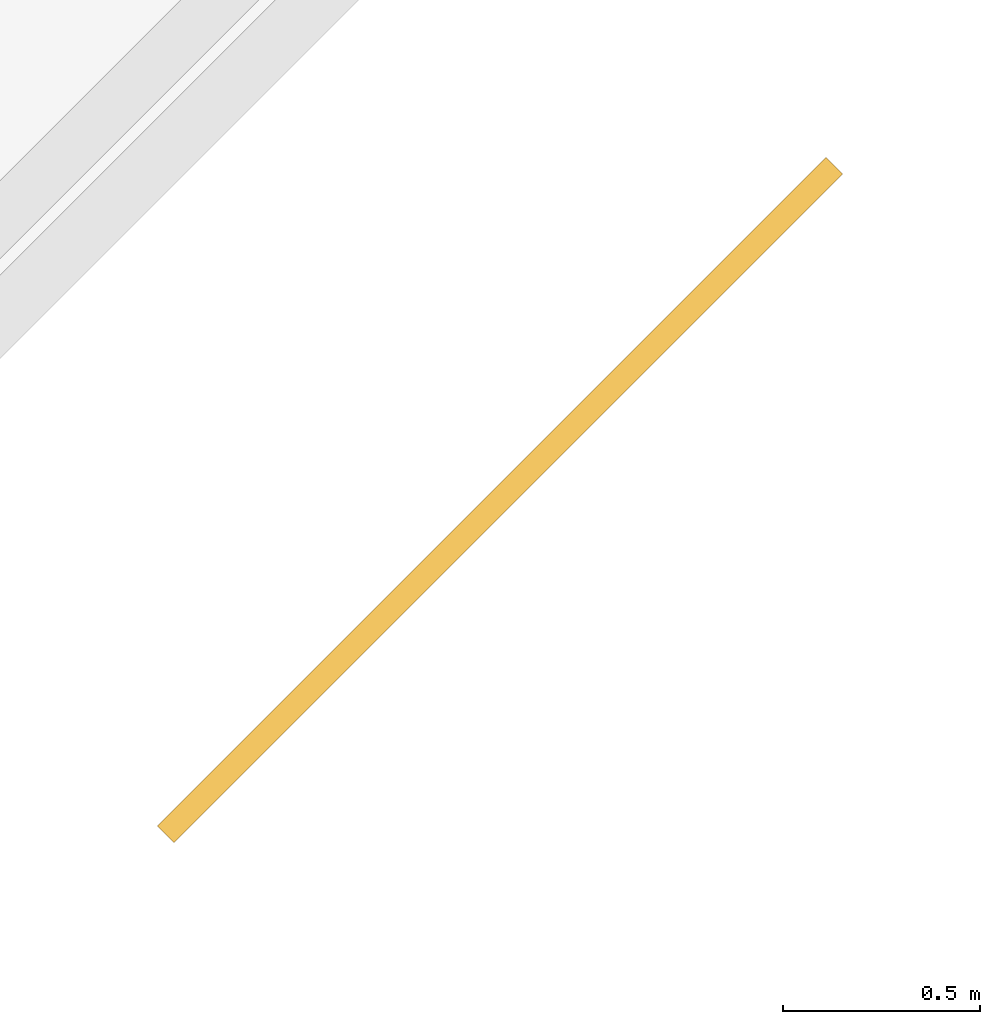
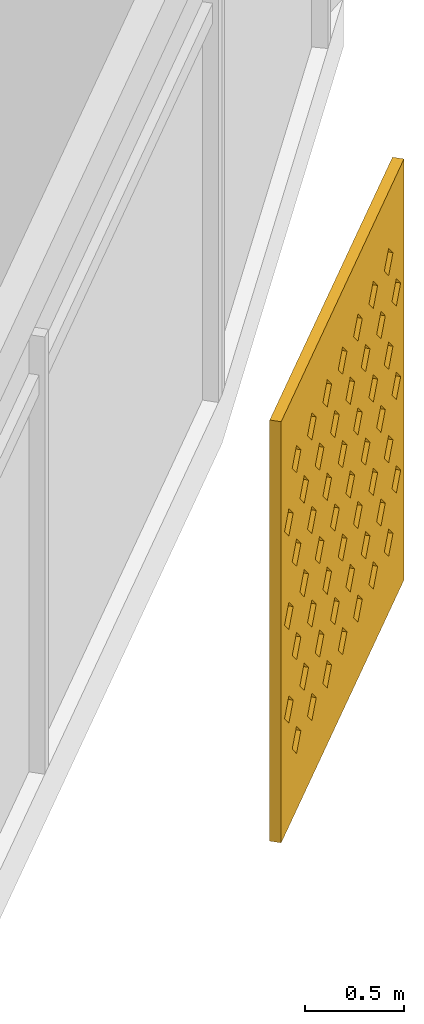
# One storey, part 28 of 28: 1 shading device.
"""IFC4 building model written with IfcOpenShell, lengths in metres."""

from ifc_helpers import new_model, si_unit, direction, frame, origin, place, context, subcontext, project, spatial, polyline, outline, extrude, material, material_profile, profile_set, type_object, element, save


model = new_model("IFC4")

# Units and contexts
model_context = context("Model", 3, precision=1e-05, world=origin(), true_north=direction((0.0, 1.0)))
body_context = subcontext(model_context, "Body", "Model", "MODEL_VIEW")
ifc_project = project(units=[si_unit("LENGTHUNIT", "METRE"), si_unit("AREAUNIT", "SQUARE_METRE"), si_unit("VOLUMEUNIT", "CUBIC_METRE"), si_unit("PLANEANGLEUNIT", "RADIAN"), si_unit("MASSUNIT", "GRAM", prefix="KILO")], contexts=[model_context])

# Site, building, storey
site_placement = place(None, origin())
site = spatial("IfcSite", under=ifc_project, at=site_placement, CompositionType="ELEMENT")
building_placement = place(site_placement, origin())
building = spatial("IfcBuilding", under=site, at=building_placement, Name="Qamariyya Broadcast Tower", CompositionType="ELEMENT")
storey_placement = place(building_placement, frame((0.0, 0.0, 245.5)))
storey = spatial("IfcBuildingStorey", under=building, at=storey_placement, Name="L59", CompositionType="ELEMENT", Elevation=245.5)

# Shading device
ifc_material = material(Name="Perforated glazed terracotta", Category="masonry")
ifc_material_profile = material_profile(ifc_material, outline(polyline([(-1.199951171875, -1.300048828125), (1.199951171875, -1.300048828125), (1.199951171875, 1.300048828125), (-1.199951171875, 1.300048828125), (-1.199951171875, -1.300048828125)]), holes=[polyline([(-0.81494140625, -0.86669921875), (-0.89990234375, -0.78173828125), (-0.985107421875, -0.86669921875), (-0.89990234375, -0.95166015625), (-0.81494140625, -0.86669921875)]), polyline([(-0.514892578125, -0.86669921875), (-0.60009765625, -0.78173828125), (-0.68505859375, -0.86669921875), (-0.60009765625, -0.95166015625), (-0.514892578125, -0.86669921875)]), polyline([(-0.215087890625, -0.86669921875), (-0.300048828125, -0.78173828125), (-0.385009765625, -0.86669921875), (-0.300048828125, -0.95166015625), (-0.215087890625, -0.86669921875)]), polyline([(0.0849609375, -0.86669921875), (0.0, -0.78173828125), (-0.0849609375, -0.86669921875), (0.0, -0.95166015625), (0.0849609375, -0.86669921875)]), polyline([(0.385009765625, -0.86669921875), (0.300048828125, -0.78173828125), (0.215087890625, -0.86669921875), (0.300048828125, -0.95166015625), (0.385009765625, -0.86669921875)]), polyline([(0.68505859375, -0.86669921875), (0.60009765625, -0.78173828125), (0.514892578125, -0.86669921875), (0.60009765625, -0.95166015625), (0.68505859375, -0.86669921875)]), polyline([(0.985107421875, -0.86669921875), (0.89990234375, -0.78173828125), (0.81494140625, -0.86669921875), (0.89990234375, -0.95166015625), (0.985107421875, -0.86669921875)]), polyline([(-0.965087890625, -0.577880859375), (-1.050048828125, -0.49267578125), (-1.135009765625, -0.577880859375), (-1.050048828125, -0.662841796875), (-0.965087890625, -0.577880859375)]), polyline([(-0.6650390625, -0.577880859375), (-0.75, -0.49267578125), (-0.8349609375, -0.577880859375), (-0.75, -0.662841796875), (-0.6650390625, -0.577880859375)]), polyline([(-0.364990234375, -0.577880859375), (-0.449951171875, -0.49267578125), (-0.534912109375, -0.577880859375), (-0.449951171875, -0.662841796875), (-0.364990234375, -0.577880859375)]), polyline([(-0.06494140625, -0.577880859375), (-0.14990234375, -0.49267578125), (-0.235107421875, -0.577880859375), (-0.14990234375, -0.662841796875), (-0.06494140625, -0.577880859375)]), polyline([(0.235107421875, -0.577880859375), (0.14990234375, -0.49267578125), (0.06494140625, -0.577880859375), (0.14990234375, -0.662841796875), (0.235107421875, -0.577880859375)]), polyline([(0.534912109375, -0.577880859375), (0.449951171875, -0.49267578125), (0.364990234375, -0.577880859375), (0.449951171875, -0.662841796875), (0.534912109375, -0.577880859375)]), polyline([(0.8349609375, -0.577880859375), (0.75, -0.49267578125), (0.6650390625, -0.577880859375), (0.75, -0.662841796875), (0.8349609375, -0.577880859375)]), polyline([(1.135009765625, -0.577880859375), (1.050048828125, -0.49267578125), (0.965087890625, -0.577880859375), (1.050048828125, -0.662841796875), (1.135009765625, -0.577880859375)]), polyline([(-0.81494140625, -0.288818359375), (-0.89990234375, -0.203857421875), (-0.985107421875, -0.288818359375), (-0.89990234375, -0.373779296875), (-0.81494140625, -0.288818359375)]), polyline([(-0.514892578125, -0.288818359375), (-0.60009765625, -0.203857421875), (-0.68505859375, -0.288818359375), (-0.60009765625, -0.373779296875), (-0.514892578125, -0.288818359375)]), polyline([(-0.215087890625, -0.288818359375), (-0.300048828125, -0.203857421875), (-0.385009765625, -0.288818359375), (-0.300048828125, -0.373779296875), (-0.215087890625, -0.288818359375)]), polyline([(0.0849609375, -0.288818359375), (0.0, -0.203857421875), (-0.0849609375, -0.288818359375), (0.0, -0.373779296875), (0.0849609375, -0.288818359375)]), polyline([(0.385009765625, -0.288818359375), (0.300048828125, -0.203857421875), (0.215087890625, -0.288818359375), (0.300048828125, -0.373779296875), (0.385009765625, -0.288818359375)]), polyline([(0.68505859375, -0.288818359375), (0.60009765625, -0.203857421875), (0.514892578125, -0.288818359375), (0.60009765625, -0.373779296875), (0.68505859375, -0.288818359375)]), polyline([(0.985107421875, -0.288818359375), (0.89990234375, -0.203857421875), (0.81494140625, -0.288818359375), (0.89990234375, -0.373779296875), (0.985107421875, -0.288818359375)]), polyline([(-0.965087890625, 0.0), (-1.050048828125, 0.0849609375), (-1.135009765625, 0.0), (-1.050048828125, -0.0849609375), (-0.965087890625, 0.0)]), polyline([(-0.6650390625, 0.0), (-0.75, 0.0849609375), (-0.8349609375, 0.0), (-0.75, -0.0849609375), (-0.6650390625, 0.0)]), polyline([(-0.364990234375, 0.0), (-0.449951171875, 0.0849609375), (-0.534912109375, 0.0), (-0.449951171875, -0.0849609375), (-0.364990234375, 0.0)]), polyline([(-0.06494140625, 0.0), (-0.14990234375, 0.0849609375), (-0.235107421875, 0.0), (-0.14990234375, -0.0849609375), (-0.06494140625, 0.0)]), polyline([(0.235107421875, 0.0), (0.14990234375, 0.0849609375), (0.06494140625, 0.0), (0.14990234375, -0.0849609375), (0.235107421875, 0.0)]), polyline([(0.534912109375, 0.0), (0.449951171875, 0.0849609375), (0.364990234375, 0.0), (0.449951171875, -0.0849609375), (0.534912109375, 0.0)]), polyline([(0.8349609375, 0.0), (0.75, 0.0849609375), (0.6650390625, 0.0), (0.75, -0.0849609375), (0.8349609375, 0.0)]), polyline([(1.135009765625, 0.0), (1.050048828125, 0.0849609375), (0.965087890625, 0.0), (1.050048828125, -0.0849609375), (1.135009765625, 0.0)]), polyline([(-0.81494140625, 0.288818359375), (-0.89990234375, 0.373779296875), (-0.985107421875, 0.288818359375), (-0.89990234375, 0.203857421875), (-0.81494140625, 0.288818359375)]), polyline([(-0.514892578125, 0.288818359375), (-0.60009765625, 0.373779296875), (-0.68505859375, 0.288818359375), (-0.60009765625, 0.203857421875), (-0.514892578125, 0.288818359375)]), polyline([(-0.215087890625, 0.288818359375), (-0.300048828125, 0.373779296875), (-0.385009765625, 0.288818359375), (-0.300048828125, 0.203857421875), (-0.215087890625, 0.288818359375)]), polyline([(0.0849609375, 0.288818359375), (0.0, 0.373779296875), (-0.0849609375, 0.288818359375), (0.0, 0.203857421875), (0.0849609375, 0.288818359375)]), polyline([(0.385009765625, 0.288818359375), (0.300048828125, 0.373779296875), (0.215087890625, 0.288818359375), (0.300048828125, 0.203857421875), (0.385009765625, 0.288818359375)]), polyline([(0.68505859375, 0.288818359375), (0.60009765625, 0.373779296875), (0.514892578125, 0.288818359375), (0.60009765625, 0.203857421875), (0.68505859375, 0.288818359375)]), polyline([(0.985107421875, 0.288818359375), (0.89990234375, 0.373779296875), (0.81494140625, 0.288818359375), (0.89990234375, 0.203857421875), (0.985107421875, 0.288818359375)]), polyline([(-0.965087890625, 0.577880859375), (-1.050048828125, 0.662841796875), (-1.135009765625, 0.577880859375), (-1.050048828125, 0.49267578125), (-0.965087890625, 0.577880859375)]), polyline([(-0.6650390625, 0.577880859375), (-0.75, 0.662841796875), (-0.8349609375, 0.577880859375), (-0.75, 0.49267578125), (-0.6650390625, 0.577880859375)]), polyline([(-0.364990234375, 0.577880859375), (-0.449951171875, 0.662841796875), (-0.534912109375, 0.577880859375), (-0.449951171875, 0.49267578125), (-0.364990234375, 0.577880859375)]), polyline([(-0.06494140625, 0.577880859375), (-0.14990234375, 0.662841796875), (-0.235107421875, 0.577880859375), (-0.14990234375, 0.49267578125), (-0.06494140625, 0.577880859375)]), polyline([(0.235107421875, 0.577880859375), (0.14990234375, 0.662841796875), (0.06494140625, 0.577880859375), (0.14990234375, 0.49267578125), (0.235107421875, 0.577880859375)]), polyline([(0.534912109375, 0.577880859375), (0.449951171875, 0.662841796875), (0.364990234375, 0.577880859375), (0.449951171875, 0.49267578125), (0.534912109375, 0.577880859375)]), polyline([(0.8349609375, 0.577880859375), (0.75, 0.662841796875), (0.6650390625, 0.577880859375), (0.75, 0.49267578125), (0.8349609375, 0.577880859375)]), polyline([(1.135009765625, 0.577880859375), (1.050048828125, 0.662841796875), (0.965087890625, 0.577880859375), (1.050048828125, 0.49267578125), (1.135009765625, 0.577880859375)]), polyline([(-0.81494140625, 0.86669921875), (-0.89990234375, 0.95166015625), (-0.985107421875, 0.86669921875), (-0.89990234375, 0.78173828125), (-0.81494140625, 0.86669921875)]), polyline([(-0.514892578125, 0.86669921875), (-0.60009765625, 0.95166015625), (-0.68505859375, 0.86669921875), (-0.60009765625, 0.78173828125), (-0.514892578125, 0.86669921875)]), polyline([(-0.215087890625, 0.86669921875), (-0.300048828125, 0.95166015625), (-0.385009765625, 0.86669921875), (-0.300048828125, 0.78173828125), (-0.215087890625, 0.86669921875)]), polyline([(0.0849609375, 0.86669921875), (0.0, 0.95166015625), (-0.0849609375, 0.86669921875), (0.0, 0.78173828125), (0.0849609375, 0.86669921875)]), polyline([(0.385009765625, 0.86669921875), (0.300048828125, 0.95166015625), (0.215087890625, 0.86669921875), (0.300048828125, 0.78173828125), (0.385009765625, 0.86669921875)]), polyline([(0.68505859375, 0.86669921875), (0.60009765625, 0.95166015625), (0.514892578125, 0.86669921875), (0.60009765625, 0.78173828125), (0.68505859375, 0.86669921875)]), polyline([(0.985107421875, 0.86669921875), (0.89990234375, 0.95166015625), (0.81494140625, 0.86669921875), (0.89990234375, 0.78173828125), (0.985107421875, 0.86669921875)])]))
ifc_profile_set = profile_set([ifc_material_profile], Name="Perforated glazed terracotta")
shading_device_type = type_object("IfcShadingDeviceType", Name="Perforated terracotta screen 2400 x 2600", PredefinedType="USERDEFINED", material=ifc_profile_set)
shading_device_placement = place(storey_placement, frame((58.18603515625, -54.599609375, 1.35009765625), z_axis=(0.707106781187, -0.707106781187, 0.0), x_axis=(0.707106781187, 0.707106781187, 0.0)))
element("IfcShadingDevice", 1, at=shading_device_placement, inside=storey, type_object=shading_device_type, Name="e-scr-L59-14-2", ObjectType="SCREEN", PredefinedType="USERDEFINED", context=body_context, shape_type="SweptSolid", body=[
    extrude(outline(polyline([(-1.199951171875, -1.300048828125), (1.199951171875, -1.300048828125), (1.199951171875, 1.300048828125), (-1.199951171875, 1.300048828125), (-1.199951171875, -1.300048828125)]), holes=[polyline([(-0.81494140625, -0.86669921875), (-0.89990234375, -0.78173828125), (-0.985107421875, -0.86669921875), (-0.89990234375, -0.95166015625), (-0.81494140625, -0.86669921875)]), polyline([(-0.514892578125, -0.86669921875), (-0.60009765625, -0.78173828125), (-0.68505859375, -0.86669921875), (-0.60009765625, -0.95166015625), (-0.514892578125, -0.86669921875)]), polyline([(-0.215087890625, -0.86669921875), (-0.300048828125, -0.78173828125), (-0.385009765625, -0.86669921875), (-0.300048828125, -0.95166015625), (-0.215087890625, -0.86669921875)]), polyline([(0.0849609375, -0.86669921875), (0.0, -0.78173828125), (-0.0849609375, -0.86669921875), (0.0, -0.95166015625), (0.0849609375, -0.86669921875)]), polyline([(0.385009765625, -0.86669921875), (0.300048828125, -0.78173828125), (0.215087890625, -0.86669921875), (0.300048828125, -0.95166015625), (0.385009765625, -0.86669921875)]), polyline([(0.68505859375, -0.86669921875), (0.60009765625, -0.78173828125), (0.514892578125, -0.86669921875), (0.60009765625, -0.95166015625), (0.68505859375, -0.86669921875)]), polyline([(0.985107421875, -0.86669921875), (0.89990234375, -0.78173828125), (0.81494140625, -0.86669921875), (0.89990234375, -0.95166015625), (0.985107421875, -0.86669921875)]), polyline([(-0.965087890625, -0.577880859375), (-1.050048828125, -0.49267578125), (-1.135009765625, -0.577880859375), (-1.050048828125, -0.662841796875), (-0.965087890625, -0.577880859375)]), polyline([(-0.6650390625, -0.577880859375), (-0.75, -0.49267578125), (-0.8349609375, -0.577880859375), (-0.75, -0.662841796875), (-0.6650390625, -0.577880859375)]), polyline([(-0.364990234375, -0.577880859375), (-0.449951171875, -0.49267578125), (-0.534912109375, -0.577880859375), (-0.449951171875, -0.662841796875), (-0.364990234375, -0.577880859375)]), polyline([(-0.06494140625, -0.577880859375), (-0.14990234375, -0.49267578125), (-0.235107421875, -0.577880859375), (-0.14990234375, -0.662841796875), (-0.06494140625, -0.577880859375)]), polyline([(0.235107421875, -0.577880859375), (0.14990234375, -0.49267578125), (0.06494140625, -0.577880859375), (0.14990234375, -0.662841796875), (0.235107421875, -0.577880859375)]), polyline([(0.534912109375, -0.577880859375), (0.449951171875, -0.49267578125), (0.364990234375, -0.577880859375), (0.449951171875, -0.662841796875), (0.534912109375, -0.577880859375)]), polyline([(0.8349609375, -0.577880859375), (0.75, -0.49267578125), (0.6650390625, -0.577880859375), (0.75, -0.662841796875), (0.8349609375, -0.577880859375)]), polyline([(1.135009765625, -0.577880859375), (1.050048828125, -0.49267578125), (0.965087890625, -0.577880859375), (1.050048828125, -0.662841796875), (1.135009765625, -0.577880859375)]), polyline([(-0.81494140625, -0.288818359375), (-0.89990234375, -0.203857421875), (-0.985107421875, -0.288818359375), (-0.89990234375, -0.373779296875), (-0.81494140625, -0.288818359375)]), polyline([(-0.514892578125, -0.288818359375), (-0.60009765625, -0.203857421875), (-0.68505859375, -0.288818359375), (-0.60009765625, -0.373779296875), (-0.514892578125, -0.288818359375)]), polyline([(-0.215087890625, -0.288818359375), (-0.300048828125, -0.203857421875), (-0.385009765625, -0.288818359375), (-0.300048828125, -0.373779296875), (-0.215087890625, -0.288818359375)]), polyline([(0.0849609375, -0.288818359375), (0.0, -0.203857421875), (-0.0849609375, -0.288818359375), (0.0, -0.373779296875), (0.0849609375, -0.288818359375)]), polyline([(0.385009765625, -0.288818359375), (0.300048828125, -0.203857421875), (0.215087890625, -0.288818359375), (0.300048828125, -0.373779296875), (0.385009765625, -0.288818359375)]), polyline([(0.68505859375, -0.288818359375), (0.60009765625, -0.203857421875), (0.514892578125, -0.288818359375), (0.60009765625, -0.373779296875), (0.68505859375, -0.288818359375)]), polyline([(0.985107421875, -0.288818359375), (0.89990234375, -0.203857421875), (0.81494140625, -0.288818359375), (0.89990234375, -0.373779296875), (0.985107421875, -0.288818359375)]), polyline([(-0.965087890625, 0.0), (-1.050048828125, 0.0849609375), (-1.135009765625, 0.0), (-1.050048828125, -0.0849609375), (-0.965087890625, 0.0)]), polyline([(-0.6650390625, 0.0), (-0.75, 0.0849609375), (-0.8349609375, 0.0), (-0.75, -0.0849609375), (-0.6650390625, 0.0)]), polyline([(-0.364990234375, 0.0), (-0.449951171875, 0.0849609375), (-0.534912109375, 0.0), (-0.449951171875, -0.0849609375), (-0.364990234375, 0.0)]), polyline([(-0.06494140625, 0.0), (-0.14990234375, 0.0849609375), (-0.235107421875, 0.0), (-0.14990234375, -0.0849609375), (-0.06494140625, 0.0)]), polyline([(0.235107421875, 0.0), (0.14990234375, 0.0849609375), (0.06494140625, 0.0), (0.14990234375, -0.0849609375), (0.235107421875, 0.0)]), polyline([(0.534912109375, 0.0), (0.449951171875, 0.0849609375), (0.364990234375, 0.0), (0.449951171875, -0.0849609375), (0.534912109375, 0.0)]), polyline([(0.8349609375, 0.0), (0.75, 0.0849609375), (0.6650390625, 0.0), (0.75, -0.0849609375), (0.8349609375, 0.0)]), polyline([(1.135009765625, 0.0), (1.050048828125, 0.0849609375), (0.965087890625, 0.0), (1.050048828125, -0.0849609375), (1.135009765625, 0.0)]), polyline([(-0.81494140625, 0.288818359375), (-0.89990234375, 0.373779296875), (-0.985107421875, 0.288818359375), (-0.89990234375, 0.203857421875), (-0.81494140625, 0.288818359375)]), polyline([(-0.514892578125, 0.288818359375), (-0.60009765625, 0.373779296875), (-0.68505859375, 0.288818359375), (-0.60009765625, 0.203857421875), (-0.514892578125, 0.288818359375)]), polyline([(-0.215087890625, 0.288818359375), (-0.300048828125, 0.373779296875), (-0.385009765625, 0.288818359375), (-0.300048828125, 0.203857421875), (-0.215087890625, 0.288818359375)]), polyline([(0.0849609375, 0.288818359375), (0.0, 0.373779296875), (-0.0849609375, 0.288818359375), (0.0, 0.203857421875), (0.0849609375, 0.288818359375)]), polyline([(0.385009765625, 0.288818359375), (0.300048828125, 0.373779296875), (0.215087890625, 0.288818359375), (0.300048828125, 0.203857421875), (0.385009765625, 0.288818359375)]), polyline([(0.68505859375, 0.288818359375), (0.60009765625, 0.373779296875), (0.514892578125, 0.288818359375), (0.60009765625, 0.203857421875), (0.68505859375, 0.288818359375)]), polyline([(0.985107421875, 0.288818359375), (0.89990234375, 0.373779296875), (0.81494140625, 0.288818359375), (0.89990234375, 0.203857421875), (0.985107421875, 0.288818359375)]), polyline([(-0.965087890625, 0.577880859375), (-1.050048828125, 0.662841796875), (-1.135009765625, 0.577880859375), (-1.050048828125, 0.49267578125), (-0.965087890625, 0.577880859375)]), polyline([(-0.6650390625, 0.577880859375), (-0.75, 0.662841796875), (-0.8349609375, 0.577880859375), (-0.75, 0.49267578125), (-0.6650390625, 0.577880859375)]), polyline([(-0.364990234375, 0.577880859375), (-0.449951171875, 0.662841796875), (-0.534912109375, 0.577880859375), (-0.449951171875, 0.49267578125), (-0.364990234375, 0.577880859375)]), polyline([(-0.06494140625, 0.577880859375), (-0.14990234375, 0.662841796875), (-0.235107421875, 0.577880859375), (-0.14990234375, 0.49267578125), (-0.06494140625, 0.577880859375)]), polyline([(0.235107421875, 0.577880859375), (0.14990234375, 0.662841796875), (0.06494140625, 0.577880859375), (0.14990234375, 0.49267578125), (0.235107421875, 0.577880859375)]), polyline([(0.534912109375, 0.577880859375), (0.449951171875, 0.662841796875), (0.364990234375, 0.577880859375), (0.449951171875, 0.49267578125), (0.534912109375, 0.577880859375)]), polyline([(0.8349609375, 0.577880859375), (0.75, 0.662841796875), (0.6650390625, 0.577880859375), (0.75, 0.49267578125), (0.8349609375, 0.577880859375)]), polyline([(1.135009765625, 0.577880859375), (1.050048828125, 0.662841796875), (0.965087890625, 0.577880859375), (1.050048828125, 0.49267578125), (1.135009765625, 0.577880859375)]), polyline([(-0.81494140625, 0.86669921875), (-0.89990234375, 0.95166015625), (-0.985107421875, 0.86669921875), (-0.89990234375, 0.78173828125), (-0.81494140625, 0.86669921875)]), polyline([(-0.514892578125, 0.86669921875), (-0.60009765625, 0.95166015625), (-0.68505859375, 0.86669921875), (-0.60009765625, 0.78173828125), (-0.514892578125, 0.86669921875)]), polyline([(-0.215087890625, 0.86669921875), (-0.300048828125, 0.95166015625), (-0.385009765625, 0.86669921875), (-0.300048828125, 0.78173828125), (-0.215087890625, 0.86669921875)]), polyline([(0.0849609375, 0.86669921875), (0.0, 0.95166015625), (-0.0849609375, 0.86669921875), (0.0, 0.78173828125), (0.0849609375, 0.86669921875)]), polyline([(0.385009765625, 0.86669921875), (0.300048828125, 0.95166015625), (0.215087890625, 0.86669921875), (0.300048828125, 0.78173828125), (0.385009765625, 0.86669921875)]), polyline([(0.68505859375, 0.86669921875), (0.60009765625, 0.95166015625), (0.514892578125, 0.86669921875), (0.60009765625, 0.78173828125), (0.68505859375, 0.86669921875)]), polyline([(0.985107421875, 0.86669921875), (0.89990234375, 0.95166015625), (0.81494140625, 0.86669921875), (0.89990234375, 0.78173828125), (0.985107421875, 0.86669921875)])]), origin(), (0.0, 0.0, 1.0), 0.06005859375),
])

save(model, "model.ifc")
